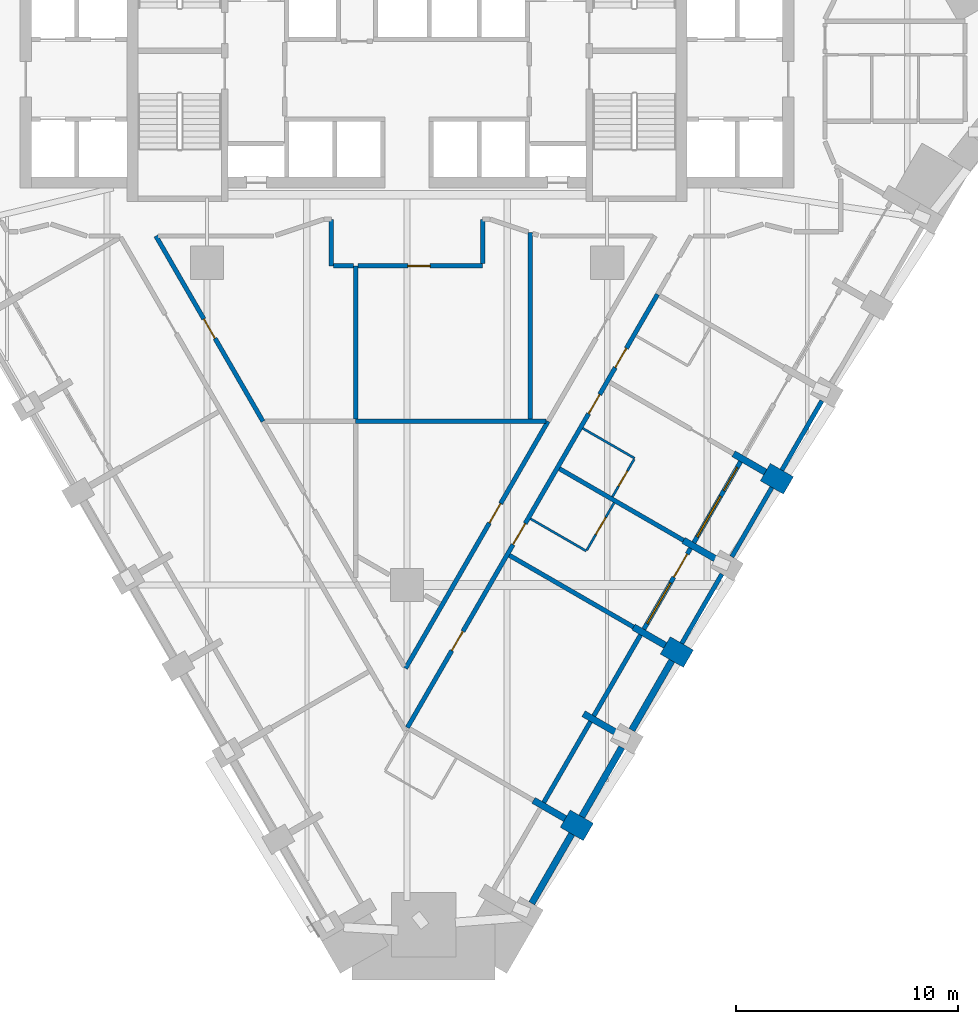
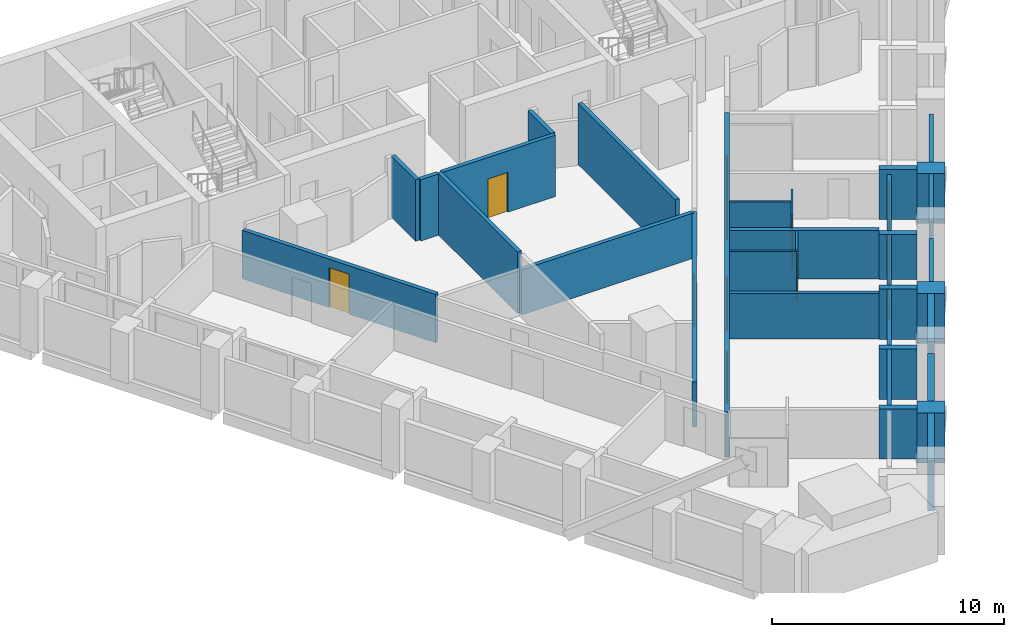
# One storey, part 4 of 11: 34 walls, 11 doors, 2 windows, 13 openings.
"""IFC4 building model written with IfcOpenShell, lengths in metres."""

from ifc_helpers import new_model, si_unit, direction, frame, frame_2d, origin, place, context, subcontext, project, spatial, rectangle, extrude, material, layer, layer_set, type_object, element, fill, save


model = new_model("IFC4")

# Units and contexts
model_context = context("Model", 3, precision=1e-05, world=origin(), true_north=direction((0.0, 1.0)))
body_context = subcontext(model_context, "Body", "Model", "MODEL_VIEW")
ifc_project = project(units=[si_unit("LENGTHUNIT", "METRE"), si_unit("AREAUNIT", "SQUARE_METRE"), si_unit("VOLUMEUNIT", "CUBIC_METRE"), si_unit("PLANEANGLEUNIT", "RADIAN"), si_unit("MASSUNIT", "GRAM", prefix="KILO")], contexts=[model_context])

# Site, building, storey
site_placement = place(None, origin())
site = spatial("IfcSite", under=ifc_project, at=site_placement, CompositionType="ELEMENT")
building_placement = place(site_placement, origin())
building = spatial("IfcBuilding", under=site, at=building_placement, Name="Calabash Gate Tower", CompositionType="ELEMENT")
storey_placement = place(building_placement, frame((0.0, 0.0, 119.0)))
storey = spatial("IfcBuildingStorey", under=building, at=storey_placement, Name="L27", CompositionType="ELEMENT", Elevation=119.0)

# Walls
ifc_material_1 = material(Name="Terracotta brick masonry, exposed face", Category="masonry")
ifc_layer_1 = layer(ifc_material_1, 1.199951171875)
ifc_layer_set_1 = layer_set([ifc_layer_1], Name="Brick end wall 1200")
wall_type_1 = type_object("IfcWallType", Name="Brick end wall 1200", PredefinedType="SOLIDWALL", material=ifc_layer_set_1)
for number, where, z_axis, x_axis, name in (
    (1, (8.156494140625, -23.11083984375, 0.0), (0.0, 0.0, 1.0), (-0.866006032174, 0.500033551112, 0.0), "Brick pier S07 SE2.1"),
    (2, (12.656494140625, -15.316650390625, 0.0), (0.0, 0.0, 1.0), (-0.866006032174, 0.500033551112, 0.0), "Brick pier S07 SE2.3"),
    (3, (17.156494140625, -7.5224609375, 0.0), (0.0, 0.0, 1.0), (-0.866006032174, 0.500033551112, 0.0), "Brick pier S07 SE2.5"),
):
    element("IfcWall", number, at=place(storey_placement, frame(where, z_axis=z_axis, x_axis=x_axis)), inside=storey, type_object=wall_type_1, Name=name, PredefinedType="SOLIDWALL", context=body_context, shape_type="SweptSolid", body=[
        extrude(rectangle(XDim=1.2001953125, YDim=0.89990234375, at=frame_2d((0.60009765625, 0.0))), origin(), (0.0, 0.0, 1.0), 2.6298828125),
    ])
ifc_material_2 = material(Name="Terracotta brick masonry, exposed face", Category="masonry")
ifc_layer_2 = layer(ifc_material_2, 0.300048828125)
ifc_layer_set_2 = layer_set([ifc_layer_2], Name="Brick infill panel wall 300")
wall_type_2 = type_object("IfcWallType", Name="Brick infill panel wall 300", PredefinedType="SOLIDWALL", material=ifc_layer_set_2)
for number, where, z_axis, x_axis, name in (
    (4, (5.61181640625, -26.318115234375, 0.0), (0.0, 0.0, 1.0), (0.500012057535, 0.866018442252, 0.0), "Brick panel S07 SE2.1"),
    (5, (7.86181640625, -22.421142578125, 0.0), (0.0, 0.0, 1.0), (0.500012057535, 0.866018442252, 0.0), "Brick panel S07 SE2.2"),
    (6, (10.11181640625, -18.52392578125, 0.0), (0.0, 0.0, 1.0), (0.500012057535, 0.866018442252, 0.0), "Brick panel S07 SE2.3"),
):
    element("IfcWall", number, at=place(storey_placement, frame(where, z_axis=z_axis, x_axis=x_axis)), inside=storey, type_object=wall_type_2, Name=name, PredefinedType="SOLIDWALL", context=body_context, shape_type="SweptSolid", body=[
        extrude(rectangle(XDim=3.60009765625, YDim=0.300048828125, at=frame_2d((1.800048828125, 0.0))), origin(), (0.0, 0.0, 1.0), 2.6298828125),
    ])
ifc_material_3 = material(Name="Terracotta brick masonry, exposed face", Category="masonry")
ifc_layer_3 = layer(ifc_material_3, 0.300048828125)
ifc_layer_set_3 = layer_set([ifc_layer_3], Name="Brick loggia cheek wall 300")
wall_type_3 = type_object("IfcWallType", Name="Brick loggia cheek wall 300", PredefinedType="SOLIDWALL", material=ifc_layer_set_3)
for number, where, z_axis, x_axis, name in (
    (7, (7.1171875, -22.5107421875, 0.0), (0.0, 0.0, 1.0), (-0.866040211805, 0.499974350878, 0.0), "Loggia cheek S07 SE2.1"),
    (8, (7.938232421875, -17.788818359375, 0.0), (0.0, 0.0, 1.0), (0.866040211805, -0.499974350878, 0.0), "Loggia cheek S07 SE2.2"),
    (9, (11.6171875, -14.716552734375, 0.0), (0.0, 0.0, 1.0), (-0.866040211805, 0.499974350878, 0.0), "Loggia cheek S07 SE2.3"),
):
    element("IfcWall", number, at=place(storey_placement, frame(where, z_axis=z_axis, x_axis=x_axis)), inside=storey, type_object=wall_type_3, Name=name, PredefinedType="SOLIDWALL", context=body_context, shape_type="SweptSolid", body=[
        extrude(rectangle(XDim=1.64990234375, YDim=0.300048828125, at=frame_2d((0.824951171875, 0.0))), origin(), (0.0, 0.0, 1.0), 2.64990234375),
    ])
wall_1_placement = place(storey_placement, frame((12.438232421875, -9.994384765625, 0.0), z_axis=(0.0, 0.0, 1.0), x_axis=(0.866040211805, -0.499974350878, 0.0)))
element("IfcWall", 10, at=wall_1_placement, inside=storey, type_object=wall_type_3, Name="Loggia cheek S07 SE2.4", PredefinedType="SOLIDWALL", context=body_context, shape_type="SweptSolid", body=[
    extrude(rectangle(XDim=1.64990234375, YDim=0.300048828125, at=frame_2d((0.824951171875, 0.0))), origin(), (0.0, 0.0, 1.0), 2.384033203125),
])
wall_2_placement = place(storey_placement, frame((14.688232421875, -6.097412109375, 0.0), z_axis=(0.0, 0.0, 1.0), x_axis=(0.866040211805, -0.499974350878, 0.0)))
element("IfcWall", 11, at=wall_2_placement, inside=storey, type_object=wall_type_3, Name="Loggia cheek S07 SE2.5", PredefinedType="SOLIDWALL", context=body_context, shape_type="SweptSolid", body=[
    extrude(rectangle(XDim=1.64990234375, YDim=0.300048828125, at=frame_2d((0.824951171875, 0.0))), origin(), (0.0, 0.0, 1.0), 2.64990234375),
])

# Wall, opening, door
ifc_material_4 = material(Name="Gypsum board on steel studs, mineral wool", Category="steel")
ifc_layer_4 = layer(ifc_material_4, 0.10009765625)
ifc_layer_set_4 = layer_set([ifc_layer_4], Name="Partition 100 gypsum board")
wall_type_4 = type_object("IfcWallType", Name="Partition 100 gypsum board", PredefinedType="PARTITIONING", material=ifc_layer_set_4)
wall_3_placement = place(storey_placement, frame((8.0888671875, -10.427978515625, 0.0), z_axis=(0.0, 0.0, 1.0), x_axis=(0.500018594424, 0.866014668023, 0.0)))
wall_3 = element("IfcWall", 12, at=wall_3_placement, inside=storey, type_object=wall_type_4, Name="Partition", PredefinedType="PARTITIONING", context=body_context, shape_type="SweptSolid", body=[
    extrude(rectangle(XDim=2.4501953125, YDim=0.10009765625, at=frame_2d((1.22509765625, 0.0))), origin(), (0.0, 0.0, 1.0), 2.552001953125),
])
opening_1_placement = place(wall_3_placement, frame((0.800048828125, 0.0, 0.0)))
opening_1 = element("IfcOpeningElement", 13, at=opening_1_placement, cuts=wall_3, Name="Opening 25-27-005", PredefinedType="OPENING", context=body_context, shape_type="SweptSolid", body=[
    extrude(rectangle(XDim=0.89990234375, YDim=2.10009765625, at=frame_2d((0.449951171875, 1.050048828125))), frame((0.0, 0.06005859375, 0.0), z_axis=(0.0, -1.0, 0.0), x_axis=(1.0, 0.0, 0.0)), (0.0, 0.0, 1.0), 0.1201171875),
])
ifc_material_5 = material(Name="Painted timber door", Category="wood")
door_type_1 = type_object("IfcDoorType", Name="GD6 Accessible en-suite door 900x2100", OperationType="NOTDEFINED", PredefinedType="DOOR", material=ifc_material_5)
door_1_placement = place(opening_1_placement, origin())
door_1 = element("IfcDoor", 14, at=door_1_placement, inside=storey, type_object=door_type_1, Name="Accessible en-suite door", OperationType="SINGLE_SWING_LEFT", OverallHeight=2.10009765625, OverallWidth=0.89990234375, PredefinedType="DOOR", context=body_context, shape_type="SweptSolid", body=[
    extrude(rectangle(XDim=0.89990234375, YDim=2.10009765625, at=frame_2d((0.449951171875, 1.050048828125))), frame((0.0, 0.02490234375, 0.0), z_axis=(0.0, -1.0, 0.0), x_axis=(1.0, 0.0, 0.0)), (0.0, 0.0, 1.0), 0.050048828125),
])
fill(opening_1, door_1)

# Wall
wall_4_placement = place(storey_placement, frame((5.553466796875, -9.019775390625, 0.0), z_axis=(0.0, 0.0, 1.0), x_axis=(0.865729701078, -0.500511822708, 0.0)))
element("IfcWall", 15, at=wall_4_placement, inside=storey, type_object=wall_type_4, Name="Partition", PredefinedType="PARTITIONING", context=body_context, shape_type="SweptSolid", body=[
    extrude(rectangle(XDim=2.89990234375, YDim=0.10009765625, at=frame_2d((1.449951171875, 0.0))), origin(), (0.0, 0.0, 1.0), 3.22998046875),
])

# Wall, opening, door
wall_5_placement = place(storey_placement, frame((9.239501953125, -8.031982421875, 0.0), z_axis=(0.0, 0.0, 1.0), x_axis=(0.500675951608, 0.865634791053, 0.0)))
wall_5 = element("IfcWall", 16, at=wall_5_placement, inside=storey, type_object=wall_type_4, Name="Partition", PredefinedType="PARTITIONING", context=body_context, shape_type="SweptSolid", body=[
    extrude(rectangle(XDim=1.949951171875, YDim=0.10009765625, at=frame_2d((0.97509765625, 0.0))), origin(), (0.0, 0.0, 1.0), 3.22998046875),
])
opening_2_placement = place(wall_5_placement, frame((0.5498046875, 0.0, 0.0)))
opening_2 = element("IfcOpeningElement", 17, at=opening_2_placement, cuts=wall_5, Name="Opening 25-27-007", PredefinedType="OPENING", context=body_context, shape_type="SweptSolid", body=[
    extrude(rectangle(XDim=0.800048828125, YDim=2.10009765625, at=frame_2d((0.39990234375, 1.050048828125))), frame((0.0, 0.06005859375, 0.0), z_axis=(0.0, -1.0, 0.0), x_axis=(1.0, 0.0, 0.0)), (0.0, 0.0, 1.0), 0.1201171875),
])
ifc_material_6 = material(Name="Painted timber door", Category="wood")
door_type_2 = type_object("IfcDoorType", Name="GD5 En-suite door 800x2100", OperationType="NOTDEFINED", PredefinedType="DOOR", material=ifc_material_6)
door_2_placement = place(opening_2_placement, origin())
door_2 = element("IfcDoor", 18, at=door_2_placement, inside=storey, type_object=door_type_2, Name="En-suite door", OperationType="SINGLE_SWING_LEFT", OverallHeight=2.10009765625, OverallWidth=0.800048828125, PredefinedType="DOOR", context=body_context, shape_type="SweptSolid", body=[
    extrude(rectangle(XDim=0.800048828125, YDim=2.10009765625, at=frame_2d((0.39990234375, 1.050048828125))), frame((0.0, 0.02490234375, 0.0), z_axis=(0.0, -1.0, 0.0), x_axis=(1.0, 0.0, 0.0)), (0.0, 0.0, 1.0), 0.050048828125),
])
fill(opening_2, door_2)

# Wall
wall_6_placement = place(storey_placement, frame((7.90185546875, -4.952392578125, 0.0), z_axis=(0.0, 0.0, 1.0), x_axis=(0.866339109022, -0.499456252518, 0.0)))
element("IfcWall", 19, at=wall_6_placement, inside=storey, type_object=wall_type_4, Name="Partition", PredefinedType="PARTITIONING", context=body_context, shape_type="SweptSolid", body=[
    extrude(rectangle(XDim=2.69970703125, YDim=0.10009765625, at=frame_2d((1.349853515625, 0.0))), origin(), (0.0, 0.0, 1.0), 2.552001953125),
])

# Wall, opening, door
ifc_material_7 = material(Name="Gypsum board on steel studs, mineral wool", Category="steel")
ifc_layer_5 = layer(ifc_material_7, 0.199951171875)
ifc_layer_set_5 = layer_set([ifc_layer_5], Name="Partition 200 gypsum board EI 60")
wall_type_5 = type_object("IfcWallType", Name="Partition 200 gypsum board EI 60", PredefinedType="PARTITIONING", material=ifc_layer_set_5)
wall_7_placement = place(storey_placement, frame((-0.0654296875, -15.751220703125, 0.0), z_axis=(0.0, 0.0, 1.0), x_axis=(0.499524753178, 0.866299613854, 0.0)))
wall_7 = element("IfcWall", 20, at=wall_7_placement, inside=storey, type_object=wall_type_5, Name="Partition", PredefinedType="PARTITIONING", context=body_context, shape_type="SweptSolid", body=[
    extrude(rectangle(XDim=12.82958984375, YDim=0.199951171875, at=frame_2d((6.414794921875, 0.0))), origin(), (0.0, 0.0, 1.0), 2.3740234375),
])
opening_3_placement = place(wall_7_placement, frame((7.55615234375, 0.0, 0.0)))
opening_3 = element("IfcOpeningElement", 21, at=opening_3_placement, cuts=wall_7, Name="Opening 25-27-016", PredefinedType="OPENING", context=body_context, shape_type="SweptSolid", body=[
    extrude(rectangle(XDim=1.0, YDim=2.10009765625, at=frame_2d((0.5, 1.050048828125))), frame((0.0, 0.10986328125, 0.0), z_axis=(0.0, -1.0, 0.0), x_axis=(1.0, 0.0, 0.0)), (0.0, 0.0, 1.0), 0.219970703125),
])
ifc_material_8 = material(Name="Steel fire door set with fire-resisting glazing", Category="steel")
door_type_3 = type_object("IfcDoorType", Name="LD2 Meeting room door 1000x2100", OperationType="NOTDEFINED", PredefinedType="DOOR", material=ifc_material_8)
door_3_placement = place(opening_3_placement, origin())
door_3 = element("IfcDoor", 22, at=door_3_placement, inside=storey, type_object=door_type_3, Name="Meeting room door", OperationType="SINGLE_SWING_RIGHT", OverallHeight=2.10009765625, OverallWidth=1.0, PredefinedType="DOOR", context=body_context, shape_type="SweptSolid", body=[
    extrude(rectangle(XDim=1.0, YDim=2.10009765625, at=frame_2d((0.5, 1.050048828125))), frame((0.0, 0.02490234375, 0.0), z_axis=(0.0, -1.0, 0.0), x_axis=(1.0, 0.0, 0.0)), (0.0, 0.0, 1.0), 0.050048828125),
])
fill(opening_3, door_3)

# Walls
wall_8_placement = place(storey_placement, frame((4.603515625, -10.6650390625, 0.0), z_axis=(0.0, 0.0, 1.0), x_axis=(0.865901871826, -0.500213902613, 0.0)))
element("IfcWall", 23, at=wall_8_placement, inside=storey, type_object=wall_type_5, Name="Partition", PredefinedType="PARTITIONING", context=body_context, shape_type="SweptSolid", body=[
    extrude(rectangle(XDim=6.449951171875, YDim=0.199951171875, at=frame_2d((3.22509765625, 0.0))), origin(), (0.0, 0.0, 1.0), 2.3740234375),
])
wall_9_placement = place(storey_placement, frame((6.853515625, -6.767822265625, 0.0), z_axis=(0.0, 0.0, 1.0), x_axis=(0.866012238917, -0.500022801525, 0.0)))
element("IfcWall", 24, at=wall_9_placement, inside=storey, type_object=wall_type_5, Name="Partition", PredefinedType="PARTITIONING", context=body_context, shape_type="SweptSolid", body=[
    extrude(rectangle(XDim=6.449951171875, YDim=0.199951171875, at=frame_2d((3.22509765625, 0.0))), origin(), (0.0, 0.0, 1.0), 2.552001953125),
])
wall_10_placement = place(storey_placement, frame((-2.311279296875, -4.641357421875, 0.0), z_axis=(0.0, 0.0, 1.0), x_axis=(1.0, 0.0, 0.0)))
element("IfcWall", 25, at=wall_10_placement, inside=storey, type_object=wall_type_5, Name="Partition", PredefinedType="PARTITIONING", context=body_context, shape_type="SweptSolid", body=[
    extrude(rectangle(XDim=8.56005859375, YDim=0.199951171875, at=frame_2d((4.280029296875, 0.0))), origin(), (0.0, 0.0, 1.0), 2.384033203125),
])

# Wall, openings, doors
wall_11_placement = place(storey_placement, frame((0.017578125, -18.411865234375, 0.0), z_axis=(0.0, 0.0, 1.0), x_axis=(0.49999953585, 0.866025671762, 0.0)))
wall_11 = element("IfcWall", 26, at=wall_11_placement, inside=storey, type_object=wall_type_5, Name="Partition", PredefinedType="PARTITIONING", context=body_context, shape_type="SweptSolid", body=[
    extrude(rectangle(XDim=22.5, YDim=0.199951171875, at=frame_2d((11.25, 0.0))), origin(), (0.0, 0.0, 1.0), 2.3740234375),
])
opening_4_placement = place(wall_11_placement, frame((4.0, 0.0, 0.0)))
opening_4 = element("IfcOpeningElement", 27, at=opening_4_placement, cuts=wall_11, Name="Opening 25-27-003", PredefinedType="OPENING", context=body_context, shape_type="SweptSolid", body=[
    extrude(rectangle(XDim=1.0, YDim=2.10009765625, at=frame_2d((0.5, 1.050048828125))), frame((0.0, 0.10986328125, 0.0), z_axis=(0.0, -1.0, 0.0), x_axis=(1.0, 0.0, 0.0)), (0.0, 0.0, 1.0), 0.219970703125),
])
opening_5_placement = place(wall_11_placement, frame((9.5, 0.0, 0.0)))
opening_5 = element("IfcOpeningElement", 28, at=opening_5_placement, cuts=wall_11, Name="Opening 25-27-004", PredefinedType="OPENING", context=body_context, shape_type="SweptSolid", body=[
    extrude(rectangle(XDim=1.10009765625, YDim=2.10009765625, at=frame_2d((0.550048828125, 1.050048828125))), frame((0.0, 0.10986328125, 0.0), z_axis=(0.0, -1.0, 0.0), x_axis=(1.0, 0.0, 0.0)), (0.0, 0.0, 1.0), 0.219970703125),
])
opening_6_placement = place(wall_11_placement, frame((16.2998046875, 0.0, 0.0)))
opening_6 = element("IfcOpeningElement", 29, at=opening_6_placement, cuts=wall_11, Name="Opening 25-27-006", PredefinedType="OPENING", context=body_context, shape_type="SweptSolid", body=[
    extrude(rectangle(XDim=1.0, YDim=2.10009765625, at=frame_2d((0.5, 1.050048828125))), frame((0.0, 0.10986328125, 0.0), z_axis=(0.0, -1.0, 0.0), x_axis=(1.0, 0.0, 0.0)), (0.0, 0.0, 1.0), 0.219970703125),
])
opening_7_placement = place(wall_11_placement, frame((18.699951171875, 0.0, 0.0)))
opening_7 = element("IfcOpeningElement", 30, at=opening_7_placement, cuts=wall_11, Name="Opening 25-27-008", PredefinedType="OPENING", context=body_context, shape_type="SweptSolid", body=[
    extrude(rectangle(XDim=1.0, YDim=2.10009765625, at=frame_2d((0.5, 1.050048828125))), frame((0.0, 0.10986328125, 0.0), z_axis=(0.0, -1.0, 0.0), x_axis=(1.0, 0.0, 0.0)), (0.0, 0.0, 1.0), 0.219970703125),
])
ifc_material_9 = material(Name="Steel fire door set with fire-resisting glazing", Category="steel")
door_type_4 = type_object("IfcDoorType", Name="GD1 Guest room entrance door 1000x2100", OperationType="NOTDEFINED", PredefinedType="DOOR", material=ifc_material_9)
door_4_placement = place(opening_6_placement, origin())
door_4 = element("IfcDoor", 31, at=door_4_placement, inside=storey, type_object=door_type_4, Name="Guest room entrance door", OperationType="SINGLE_SWING_LEFT", OverallHeight=2.10009765625, OverallWidth=1.0, PredefinedType="DOOR", context=body_context, shape_type="SweptSolid", body=[
    extrude(rectangle(XDim=1.0, YDim=2.10009765625, at=frame_2d((0.5, 1.050048828125))), frame((0.0, 0.02490234375, 0.0), z_axis=(0.0, -1.0, 0.0), x_axis=(1.0, 0.0, 0.0)), (0.0, 0.0, 1.0), 0.050048828125),
])
fill(opening_6, door_4)
door_5_placement = place(opening_7_placement, origin())
door_5 = element("IfcDoor", 32, at=door_5_placement, inside=storey, type_object=door_type_4, Name="Guest room entrance door", OperationType="SINGLE_SWING_RIGHT", OverallHeight=2.10009765625, OverallWidth=1.0, PredefinedType="DOOR", context=body_context, shape_type="SweptSolid", body=[
    extrude(rectangle(XDim=1.0, YDim=2.10009765625, at=frame_2d((0.5, 1.050048828125))), frame((0.0, 0.02490234375, 0.0), z_axis=(0.0, -1.0, 0.0), x_axis=(1.0, 0.0, 0.0)), (0.0, 0.0, 1.0), 0.050048828125),
])
fill(opening_7, door_5)
ifc_material_10 = material(Name="Steel fire door set with fire-resisting glazing", Category="steel")
door_type_5 = type_object("IfcDoorType", Name="GD2 Accessible guest room entrance door 1100x2100", OperationType="NOTDEFINED", PredefinedType="DOOR", material=ifc_material_10)
door_6_placement = place(opening_5_placement, origin())
door_6 = element("IfcDoor", 33, at=door_6_placement, inside=storey, type_object=door_type_5, Name="Accessible guest room entrance door", OperationType="SINGLE_SWING_RIGHT", OverallHeight=2.10009765625, OverallWidth=1.10009765625, PredefinedType="DOOR", context=body_context, shape_type="SweptSolid", body=[
    extrude(rectangle(XDim=1.10009765625, YDim=2.10009765625, at=frame_2d((0.550048828125, 1.050048828125))), frame((0.0, 0.02490234375, 0.0), z_axis=(0.0, -1.0, 0.0), x_axis=(1.0, 0.0, 0.0)), (0.0, 0.0, 1.0), 0.050048828125),
])
fill(opening_5, door_6)
door_7_placement = place(opening_4_placement, origin())
door_7 = element("IfcDoor", 34, at=door_7_placement, inside=storey, type_object=door_type_3, Name="Meeting room door", OperationType="SINGLE_SWING_RIGHT", OverallHeight=2.10009765625, OverallWidth=1.0, PredefinedType="DOOR", context=body_context, shape_type="SweptSolid", body=[
    extrude(rectangle(XDim=1.0, YDim=2.10009765625, at=frame_2d((0.5, 1.050048828125))), frame((0.0, 0.02490234375, 0.0), z_axis=(0.0, -1.0, 0.0), x_axis=(1.0, 0.0, 0.0)), (0.0, 0.0, 1.0), 0.050048828125),
])
fill(opening_4, door_7)

# Walls
wall_12_placement = place(storey_placement, frame((-3.402099609375, 4.45068359375, 0.0), z_axis=(0.0, 0.0, 1.0), x_axis=(0.000930881607, -0.99999956673, 0.0)))
element("IfcWall", 35, at=wall_12_placement, inside=storey, type_object=wall_type_5, Name="Partition", PredefinedType="PARTITIONING", context=body_context, shape_type="SweptSolid", body=[
    extrude(rectangle(XDim=2.09814453125, YDim=0.199951171875, at=frame_2d((1.049072265625, 0.0))), origin(), (0.0, 0.0, 1.0), 3.22998046875),
])
wall_13_placement = place(storey_placement, frame((-3.30029296875, 2.352294921875, 0.0), z_axis=(0.0, 0.0, 1.0), x_axis=(0.999998150893, -0.001923073367, 0.0)))
element("IfcWall", 36, at=wall_13_placement, inside=storey, type_object=wall_type_5, Name="Partition", PredefinedType="PARTITIONING", context=body_context, shape_type="SweptSolid", body=[
    extrude(rectangle(XDim=0.888671875, YDim=0.199951171875, at=frame_2d((0.4443359375, 0.0))), origin(), (0.0, 0.0, 1.0), 3.22998046875),
])
wall_14_placement = place(storey_placement, frame((-2.3095703125, -4.539306640625, 0.0), z_axis=(0.0, 0.0, 1.0), x_axis=(0.0, 1.0, 0.0)))
element("IfcWall", 37, at=wall_14_placement, inside=storey, type_object=wall_type_5, Name="Partition", PredefinedType="PARTITIONING", context=body_context, shape_type="SweptSolid", body=[
    extrude(rectangle(XDim=6.8916015625, YDim=0.199951171875, at=frame_2d((3.44580078125, 0.0))), origin(), (0.0, 0.0, 1.0), 3.22998046875),
])

# Wall, opening, door
wall_15_placement = place(storey_placement, frame((-2.211181640625, 2.3505859375, 0.0), z_axis=(0.0, 0.0, 1.0), x_axis=(0.999999953622, 0.00030455968, 0.0)))
wall_15 = element("IfcWall", 38, at=wall_15_placement, inside=storey, type_object=wall_type_5, Name="Partition", PredefinedType="PARTITIONING", context=body_context, shape_type="SweptSolid", body=[
    extrude(rectangle(XDim=5.611328125, YDim=0.199951171875, at=frame_2d((2.8056640625, 0.0))), origin(), (0.0, 0.0, 1.0), 3.22998046875),
])
opening_8_placement = place(wall_15_placement, frame((2.254638671875, 0.0, 0.0)))
opening_8 = element("IfcOpeningElement", 39, at=opening_8_placement, cuts=wall_15, Name="Opening 25-27-012", PredefinedType="OPENING", context=body_context, shape_type="SweptSolid", body=[
    extrude(rectangle(XDim=1.0, YDim=2.10009765625, at=frame_2d((0.5, 1.050048828125))), frame((0.0, 0.10986328125, 0.0), z_axis=(0.0, -1.0, 0.0), x_axis=(1.0, 0.0, 0.0)), (0.0, 0.0, 1.0), 0.219970703125),
])
door_8_placement = place(opening_8_placement, origin())
door_8 = element("IfcDoor", 40, at=door_8_placement, inside=storey, type_object=door_type_3, Name="Meeting room door", OperationType="SINGLE_SWING_LEFT", OverallHeight=2.10009765625, OverallWidth=1.0, PredefinedType="DOOR", context=body_context, shape_type="SweptSolid", body=[
    extrude(rectangle(XDim=1.0, YDim=2.10009765625, at=frame_2d((0.5, 1.050048828125))), frame((0.0, 0.02490234375, 0.0), z_axis=(0.0, -1.0, 0.0), x_axis=(1.0, 0.0, 0.0)), (0.0, 0.0, 1.0), 0.050048828125),
])
fill(opening_8, door_8)

wall_16_placement = place(storey_placement, frame((-11.29541015625, 3.69970703125, 0.0), z_axis=(0.0, 0.0, 1.0), x_axis=(0.500160597015, -0.865932663198, 0.0)))
wall_16 = element("IfcWall", 41, at=wall_16_placement, inside=storey, type_object=wall_type_5, Name="Partition", PredefinedType="PARTITIONING", context=body_context, shape_type="SweptSolid", body=[
    extrude(rectangle(XDim=9.630126953125, YDim=0.199951171875, at=frame_2d((4.81494140625, 0.0))), origin(), (0.0, 0.0, 1.0), 2.552001953125),
])
opening_9_placement = place(wall_16_placement, frame((4.3154296875, 0.0, 0.0)))
opening_9 = element("IfcOpeningElement", 42, at=opening_9_placement, cuts=wall_16, Name="Opening 25-27-011", PredefinedType="OPENING", context=body_context, shape_type="SweptSolid", body=[
    extrude(rectangle(XDim=1.0, YDim=2.10009765625, at=frame_2d((0.5, 1.050048828125))), frame((0.0, 0.10986328125, 0.0), z_axis=(0.0, -1.0, 0.0), x_axis=(1.0, 0.0, 0.0)), (0.0, 0.0, 1.0), 0.219970703125),
])
door_9_placement = place(opening_9_placement, origin())
door_9 = element("IfcDoor", 43, at=door_9_placement, inside=storey, type_object=door_type_3, Name="Meeting room door", OperationType="SINGLE_SWING_RIGHT", OverallHeight=2.10009765625, OverallWidth=1.0, PredefinedType="DOOR", context=body_context, shape_type="SweptSolid", body=[
    extrude(rectangle(XDim=1.0, YDim=2.10009765625, at=frame_2d((0.5, 1.050048828125))), frame((0.0, 0.02490234375, 0.0), z_axis=(0.0, -1.0, 0.0), x_axis=(1.0, 0.0, 0.0)), (0.0, 0.0, 1.0), 0.050048828125),
])
fill(opening_9, door_9)

# Walls
wall_17_placement = place(storey_placement, frame((5.550048828125, -4.539306640625, 0.0), z_axis=(0.0, 0.0, 1.0), x_axis=(0.000203731187, 0.999999979247, 0.0)))
element("IfcWall", 44, at=wall_17_placement, inside=storey, type_object=wall_type_5, Name="Partition", PredefinedType="PARTITIONING", context=body_context, shape_type="SweptSolid", body=[
    extrude(rectangle(XDim=8.388427734375, YDim=0.199951171875, at=frame_2d((4.1943359375, 0.0))), origin(), (0.0, 0.0, 1.0), 3.22998046875),
])
wall_18_placement = place(storey_placement, frame((3.400146484375, 2.452392578125, 0.0), z_axis=(0.0, 0.0, 1.0), x_axis=(0.000977397212, 0.999999522347, 0.0)))
element("IfcWall", 45, at=wall_18_placement, inside=storey, type_object=wall_type_5, Name="Partition", PredefinedType="PARTITIONING", context=body_context, shape_type="SweptSolid", body=[
    extrude(rectangle(XDim=1.998291015625, YDim=0.199951171875, at=frame_2d((0.9990234375, 0.0))), origin(), (0.0, 0.0, 1.0), 3.22998046875),
])
ifc_material_11 = material(Name="Terracotta brick masonry, perforated", Category="masonry")
ifc_layer_6 = layer(ifc_material_11, 0.199951171875)
ifc_layer_set_6 = layer_set([ifc_layer_6], Name="Terracotta jaali screen A")
wall_type_6 = type_object("IfcWallType", Name="Terracotta jaali screen A", PredefinedType="SOLIDWALL", material=ifc_layer_set_6)
wall_19_placement = place(storey_placement, frame((12.36181640625, -14.626953125, 0.0), z_axis=(0.0, 0.0, 1.0), x_axis=(0.500012057535, 0.866018442252, 0.0)))
element("IfcWall", 46, at=wall_19_placement, inside=storey, type_object=wall_type_6, Name="SCREEN A S07 SE2.4", PredefinedType="SOLIDWALL", context=body_context, shape_type="SweptSolid", body=[
    extrude(rectangle(XDim=3.60009765625, YDim=0.199951171875, at=frame_2d((1.800048828125, 0.0))), origin(), (0.0, 0.0, 1.0), 2.3740234375),
])
for number, where, z_axis, x_axis, name in (
    (47, (14.61181640625, -10.729736328125, 0.0), (0.0, 0.0, 1.0), (0.500012057535, 0.866018442252, 0.0), "SCREEN A S07 SE2.5"),
    (48, (16.86181640625, -6.832763671875, 0.0), (0.0, 0.0, 1.0), (0.500012057535, 0.866018442252, 0.0), "SCREEN A S07 SE2.6"),
):
    element("IfcWall", number, at=place(storey_placement, frame(where, z_axis=z_axis, x_axis=x_axis)), inside=storey, type_object=wall_type_6, Name=name, PredefinedType="SOLIDWALL", context=body_context, shape_type="SweptSolid", body=[
        extrude(rectangle(XDim=3.60009765625, YDim=0.199951171875, at=frame_2d((1.800048828125, 0.0))), origin(), (0.0, 0.0, 1.0), 2.6298828125),
    ])
ifc_material_12 = material(Name="Aluminium framed window wall with insulated spandrel", Category="aluminium")
ifc_layer_7 = layer(ifc_material_12, 0.199951171875)
ifc_layer_set_7 = layer_set([ifc_layer_7], Name="Window wall 200")
wall_type_7 = type_object("IfcWallType", Name="Window wall 200", PredefinedType="ELEMENTEDWALL", material=ifc_layer_set_7)
for number, where, z_axis, x_axis, name in (
    (49, (6.153076171875, -21.781005859375, 0.0), (0.0, 0.0, 1.0), (0.499958946799, 0.866049104564, 0.0), "Window wall S07 SE2.2"),
    (50, (8.403076171875, -17.8837890625, 0.0), (0.0, 0.0, 1.0), (0.49998411664, 0.866034573852, 0.0), "Window wall S07 SE2.3"),
):
    element("IfcWall", number, at=place(storey_placement, frame(where, z_axis=z_axis, x_axis=x_axis)), inside=storey, type_object=wall_type_7, Name=name, PredefinedType="ELEMENTEDWALL", context=body_context, shape_type="SweptSolid", body=[
        extrude(rectangle(XDim=4.199951171875, YDim=0.199951171875, at=frame_2d((2.10009765625, 0.0))), origin(), (0.0, 0.0, 1.0), 2.64990234375),
    ])

# Wall, openings, door, window
wall_20_placement = place(storey_placement, frame((10.653076171875, -13.98681640625, 0.0), z_axis=(0.0, 0.0, 1.0), x_axis=(0.499958946799, 0.866049104564, 0.0)))
wall_20 = element("IfcWall", 51, at=wall_20_placement, inside=storey, type_object=wall_type_7, Name="Window wall S07 SE2.4", PredefinedType="ELEMENTEDWALL", context=body_context, shape_type="SweptSolid", body=[
    extrude(rectangle(XDim=4.199951171875, YDim=0.199951171875, at=frame_2d((2.10009765625, 0.0))), origin(), (0.0, 0.0, 1.0), 2.3740234375),
])
opening_10_placement = place(wall_20_placement, frame((0.300048828125, 0.0, 0.60009765625)))
opening_10 = element("IfcOpeningElement", 52, at=opening_10_placement, cuts=wall_20, Name="Opening HW1L-1670", PredefinedType="OPENING", context=body_context, shape_type="SweptSolid", body=[
    extrude(rectangle(XDim=2.10009765625, YDim=1.669921875, at=frame_2d((1.050048828125, 0.8349609375))), frame((0.0, 0.10986328125, 0.0), z_axis=(0.0, -1.0, 0.0), x_axis=(1.0, 0.0, 0.0)), (0.0, 0.0, 1.0), 0.219970703125),
])
opening_11_placement = place(wall_20_placement, frame((2.699951171875, 0.0, 0.0)))
opening_11 = element("IfcOpeningElement", 53, at=opening_11_placement, cuts=wall_20, Name="Opening H7-019", PredefinedType="OPENING", context=body_context, shape_type="SweptSolid", body=[
    extrude(rectangle(XDim=1.199951171875, YDim=2.27001953125, at=frame_2d((0.60009765625, 1.135009765625))), frame((0.0, 0.10986328125, 0.0), z_axis=(0.0, -1.0, 0.0), x_axis=(1.0, 0.0, 0.0)), (0.0, 0.0, 1.0), 0.219970703125),
])
ifc_material_13 = material(Name="Anodised aluminium frame, bronze finish, impact-rated laminated clear glazing", Category="aluminium")
door_type_6 = type_object("IfcDoorType", Name="Loggia door DH1L-2270 1200x2270", OperationType="SLIDING_TO_LEFT", PredefinedType="DOOR", material=ifc_material_13)
door_10_placement = place(opening_11_placement, origin())
door_10 = element("IfcDoor", 54, at=door_10_placement, inside=storey, type_object=door_type_6, Name="Loggia door S07 SE2.4", OperationType="SINGLE_SWING_LEFT", OverallHeight=2.27001953125, OverallWidth=1.199951171875, PredefinedType="DOOR", context=body_context, shape_type="SweptSolid", body=[
    extrude(rectangle(XDim=1.199951171875, YDim=2.27001953125, at=frame_2d((0.60009765625, 1.135009765625))), frame((0.0, 0.02490234375, 0.0), z_axis=(0.0, -1.0, 0.0), x_axis=(1.0, 0.0, 0.0)), (0.0, 0.0, 1.0), 0.050048828125),
])
fill(opening_11, door_10)
ifc_material_14 = material(Name="Anodised aluminium frame, bronze finish, impact-rated laminated clear glazing", Category="aluminium")
window_type_1 = type_object("IfcWindowType", Name="Window HW1L 2100x1670", PartitioningType="DOUBLE_PANEL_VERTICAL", PredefinedType="WINDOW", material=ifc_material_14)
window_1_placement = place(opening_10_placement, origin())
window_1 = element("IfcWindow", 55, at=window_1_placement, inside=storey, type_object=window_type_1, Name="Window HW1 S07 SE2.4", OverallHeight=1.669921875, OverallWidth=2.10009765625, PartitioningType="SINGLE_PANEL", PredefinedType="WINDOW", context=body_context, shape_type="SweptSolid", body=[
    extrude(rectangle(XDim=2.10009765625, YDim=1.669921875, at=frame_2d((1.050048828125, 0.8349609375))), frame((0.0, 0.030029296875, 0.0), z_axis=(0.0, -1.0, 0.0), x_axis=(1.0, 0.0, 0.0)), (0.0, 0.0, 1.0), 0.06005859375),
])
fill(opening_10, window_1)

wall_21_placement = place(storey_placement, frame((12.903076171875, -10.089599609375, 0.0), z_axis=(0.0, 0.0, 1.0), x_axis=(0.49998411664, 0.866034573852, 0.0)))
wall_21 = element("IfcWall", 56, at=wall_21_placement, inside=storey, type_object=wall_type_7, Name="Window wall S07 SE2.5", PredefinedType="ELEMENTEDWALL", context=body_context, shape_type="SweptSolid", body=[
    extrude(rectangle(XDim=4.199951171875, YDim=0.199951171875, at=frame_2d((2.10009765625, 0.0))), origin(), (0.0, 0.0, 1.0), 2.384033203125),
])
opening_12_placement = place(wall_21_placement, frame((0.300048828125, 0.0, 0.60009765625)))
opening_12 = element("IfcOpeningElement", 57, at=opening_12_placement, cuts=wall_21, Name="Opening HW1L-1680", PredefinedType="OPENING", context=body_context, shape_type="SweptSolid", body=[
    extrude(rectangle(XDim=2.10009765625, YDim=1.679931640625, at=frame_2d((1.050048828125, 0.83984375))), frame((0.0, 0.10986328125, 0.0), z_axis=(0.0, -1.0, 0.0), x_axis=(1.0, 0.0, 0.0)), (0.0, 0.0, 1.0), 0.219970703125),
])
opening_13_placement = place(wall_21_placement, frame((2.699951171875, 0.0, 0.0)))
opening_13 = element("IfcOpeningElement", 58, at=opening_13_placement, cuts=wall_21, Name="Opening H7-020", PredefinedType="OPENING", context=body_context, shape_type="SweptSolid", body=[
    extrude(rectangle(XDim=1.199951171875, YDim=2.280029296875, at=frame_2d((0.60009765625, 1.14013671875))), frame((0.0, 0.10986328125, 0.0), z_axis=(0.0, -1.0, 0.0), x_axis=(1.0, 0.0, 0.0)), (0.0, 0.0, 1.0), 0.219970703125),
])
ifc_material_15 = material(Name="Anodised aluminium frame, bronze finish, impact-rated laminated clear glazing", Category="aluminium")
door_type_7 = type_object("IfcDoorType", Name="Loggia door DH1L-2280 1200x2280", OperationType="SLIDING_TO_LEFT", PredefinedType="DOOR", material=ifc_material_15)
door_11_placement = place(opening_13_placement, origin())
door_11 = element("IfcDoor", 59, at=door_11_placement, inside=storey, type_object=door_type_7, Name="Loggia door S07 SE2.5", OperationType="SINGLE_SWING_LEFT", OverallHeight=2.280029296875, OverallWidth=1.199951171875, PredefinedType="DOOR", context=body_context, shape_type="SweptSolid", body=[
    extrude(rectangle(XDim=1.199951171875, YDim=2.280029296875, at=frame_2d((0.60009765625, 1.14013671875))), frame((0.0, 0.02490234375, 0.0), z_axis=(0.0, -1.0, 0.0), x_axis=(1.0, 0.0, 0.0)), (0.0, 0.0, 1.0), 0.050048828125),
])
fill(opening_13, door_11)
ifc_material_16 = material(Name="Anodised aluminium frame, bronze finish, impact-rated laminated clear glazing", Category="aluminium")
window_type_2 = type_object("IfcWindowType", Name="Window HW1L 2100x1680", PartitioningType="DOUBLE_PANEL_VERTICAL", PredefinedType="WINDOW", material=ifc_material_16)
window_2_placement = place(opening_12_placement, origin())
window_2 = element("IfcWindow", 60, at=window_2_placement, inside=storey, type_object=window_type_2, Name="Window HW1 S07 SE2.5", OverallHeight=1.679931640625, OverallWidth=2.10009765625, PartitioningType="SINGLE_PANEL", PredefinedType="WINDOW", context=body_context, shape_type="SweptSolid", body=[
    extrude(rectangle(XDim=2.10009765625, YDim=1.679931640625, at=frame_2d((1.050048828125, 0.83984375))), frame((0.0, 0.030029296875, 0.0), z_axis=(0.0, -1.0, 0.0), x_axis=(1.0, 0.0, 0.0)), (0.0, 0.0, 1.0), 0.06005859375),
])
fill(opening_12, window_2)

save(model, "model.ifc")
